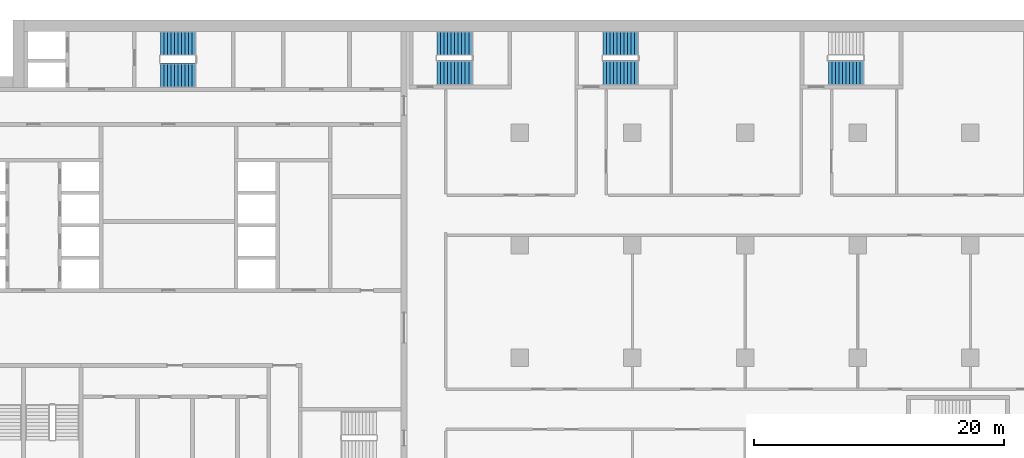
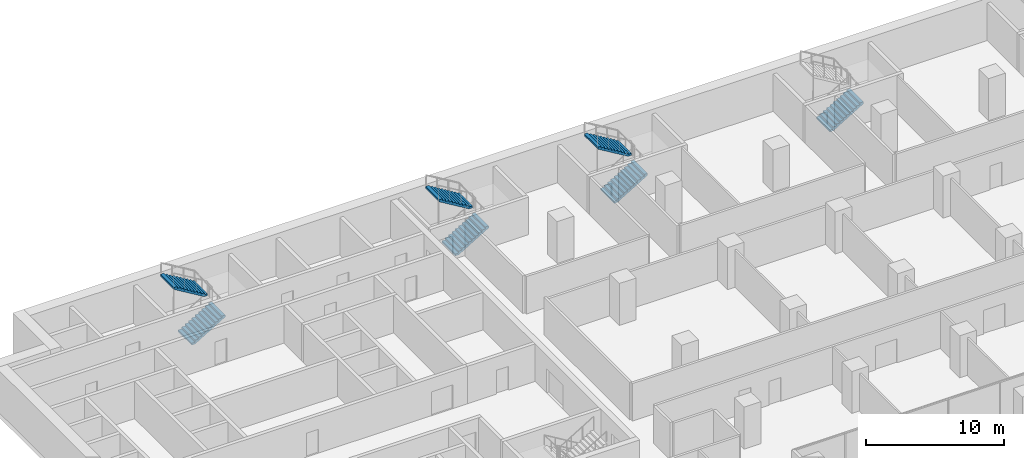
# One storey, part 21 of 28: 7 stair flights, 4 elements without a shape of their own.
"""IFC4 building model written with IfcOpenShell, lengths in metres."""

from ifc_helpers import new_model, si_unit, direction, frame, origin, place, context, subcontext, project, spatial, polyline, outline, extrude, material, type_object, element, aggregate, save


model = new_model("IFC4")

# Units and contexts
model_context = context("Model", 3, precision=1e-05, world=origin(), true_north=direction((0.0, 1.0)))
body_context = subcontext(model_context, "Body", "Model", "MODEL_VIEW")
ifc_project = project(units=[si_unit("LENGTHUNIT", "METRE"), si_unit("AREAUNIT", "SQUARE_METRE"), si_unit("VOLUMEUNIT", "CUBIC_METRE"), si_unit("PLANEANGLEUNIT", "RADIAN"), si_unit("MASSUNIT", "GRAM", prefix="KILO")], contexts=[model_context])

# Site, building, storey
site_placement = place(None, origin())
site = spatial("IfcSite", under=ifc_project, at=site_placement, CompositionType="ELEMENT")
building_placement = place(site_placement, origin())
building = spatial("IfcBuilding", under=site, at=building_placement, Name="Hunhe Ridgeline Campus", CompositionType="ELEMENT")
storey_placement = place(building_placement, frame((0.0, 0.0, 58.0)))
storey = spatial("IfcBuildingStorey", under=building, at=storey_placement, Name="L13", CompositionType="ELEMENT", Elevation=58.0)

# Stair, stair flights
ifc_material = material(Name="Concrete C40", Category="concrete")
stair_type = type_object("IfcStairType", Name="Reinforced concrete dog-leg stair 1950 Concrete C40", PredefinedType="HALF_TURN_STAIR", material=ifc_material)
stair_1_placement = place(storey_placement, origin())
stair_1 = element("IfcStair", 1, at=stair_1_placement, inside=storey, type_object=stair_type, Name="L13 S1", PredefinedType="HALF_TURN_STAIR")
stair_flight_type = type_object("IfcStairFlightType", Name="Reinforced concrete stair flight 1950 Concrete C40", PredefinedType="STRAIGHT", material=ifc_material)
stair_flight_1_placement = place(storey_placement, frame((16.300048828125, 94.574951171875, 0.0), z_axis=(0.0, 0.0, 1.0), x_axis=(1.0, 0.0, 0.0)))
stair_flight_1 = element("IfcStairFlight", 2, at=stair_flight_1_placement, type_object=stair_flight_type, Name="ST1 flight 1", NumberOfRisers=11, NumberOfTreads=10, PredefinedType="STRAIGHT", RiserHeight=0.168181818, TreadLength=0.28, context=body_context, shape_type="SweptSolid", body=[
    extrude(outline(polyline([(0.0, 0.0), (0.0, 0.168212890625), (0.280029296875, 0.168212890625), (0.280029296875, 0.33642578125), (0.56005859375, 0.33642578125), (0.56005859375, 0.504638671875), (0.840087890625, 0.504638671875), (0.840087890625, 0.672607421875), (1.1201171875, 0.672607421875), (1.1201171875, 0.8408203125), (1.39990234375, 0.8408203125), (1.39990234375, 1.009033203125), (1.679931640625, 1.009033203125), (1.679931640625, 1.17724609375), (1.9599609375, 1.17724609375), (1.9599609375, 1.345458984375), (2.239990234375, 1.345458984375), (2.239990234375, 1.513671875), (2.52001953125, 1.513671875), (2.52001953125, 1.681884765625), (2.800048828125, 1.681884765625), (2.800048828125, 1.85009765625), (2.800048828125, 1.5068359375), (0.291015625, 0.0), (0.0, 0.0)])), frame((0.0, 0.97509765625, 0.0), z_axis=(0.0, -1.0, 0.0), x_axis=(1.0, 0.0, 0.0)), (0.0, 0.0, 1.0), 1.949951171875),
    extrude(outline(polyline([(0.030029296875, 0.030029296875), (0.030029296875, 0.13818359375), (0.31005859375, 0.13818359375), (0.31005859375, 0.306396484375), (0.590087890625, 0.306396484375), (0.590087890625, 0.474609375), (0.8701171875, 0.474609375), (0.8701171875, 0.642578125), (1.14990234375, 0.642578125), (1.14990234375, 0.810791015625), (1.429931640625, 0.810791015625), (1.429931640625, 0.97900390625), (1.7099609375, 0.97900390625), (1.7099609375, 1.147216796875), (1.989990234375, 1.147216796875), (1.989990234375, 1.3154296875), (2.27001953125, 1.3154296875), (2.27001953125, 1.483642578125), (2.550048828125, 1.483642578125), (2.550048828125, 1.65185546875), (2.77001953125, 1.65185546875), (2.77001953125, 1.52392578125), (0.28271484375, 0.030029296875), (0.030029296875, 0.030029296875)])), frame((0.0, -0.070068359375, 0.0), z_axis=(0.0, -1.0, 0.0), x_axis=(1.0, 0.0, 0.0)), (0.0, 0.0, 1.0), 0.019775390625),
    extrude(outline(polyline([(0.030029296875, 0.030029296875), (0.030029296875, 0.13818359375), (0.31005859375, 0.13818359375), (0.31005859375, 0.306396484375), (0.590087890625, 0.306396484375), (0.590087890625, 0.474609375), (0.8701171875, 0.474609375), (0.8701171875, 0.642578125), (1.14990234375, 0.642578125), (1.14990234375, 0.810791015625), (1.429931640625, 0.810791015625), (1.429931640625, 0.97900390625), (1.7099609375, 0.97900390625), (1.7099609375, 1.147216796875), (1.989990234375, 1.147216796875), (1.989990234375, 1.3154296875), (2.27001953125, 1.3154296875), (2.27001953125, 1.483642578125), (2.550048828125, 1.483642578125), (2.550048828125, 1.65185546875), (2.77001953125, 1.65185546875), (2.77001953125, 1.52392578125), (0.28271484375, 0.030029296875), (0.030029296875, 0.030029296875)])), frame((0.0, 0.010009765625, 0.0), z_axis=(0.0, -1.0, 0.0), x_axis=(1.0, 0.0, 0.0)), (0.0, 0.0, 1.0), 0.019775390625),
    extrude(outline(polyline([(0.030029296875, 0.030029296875), (0.030029296875, 0.13818359375), (0.31005859375, 0.13818359375), (0.31005859375, 0.306396484375), (0.590087890625, 0.306396484375), (0.590087890625, 0.474609375), (0.8701171875, 0.474609375), (0.8701171875, 0.642578125), (1.14990234375, 0.642578125), (1.14990234375, 0.810791015625), (1.429931640625, 0.810791015625), (1.429931640625, 0.97900390625), (1.7099609375, 0.97900390625), (1.7099609375, 1.147216796875), (1.989990234375, 1.147216796875), (1.989990234375, 1.3154296875), (2.27001953125, 1.3154296875), (2.27001953125, 1.483642578125), (2.550048828125, 1.483642578125), (2.550048828125, 1.65185546875), (2.77001953125, 1.65185546875), (2.77001953125, 1.52392578125), (0.28271484375, 0.030029296875), (0.030029296875, 0.030029296875)])), frame((0.0, 0.090087890625, 0.0), z_axis=(0.0, -1.0, 0.0), x_axis=(1.0, 0.0, 0.0)), (0.0, 0.0, 1.0), 0.019775390625),
])
stair_flight_2_placement = place(storey_placement, frame((19.10009765625, 97.125, 1.85009765625), z_axis=(0.0, 0.0, 1.0), x_axis=(-1.0, 0.0, 0.0)))
stair_flight_2 = element("IfcStairFlight", 3, at=stair_flight_2_placement, type_object=stair_flight_type, Name="ST1 flight 2", NumberOfRisers=11, NumberOfTreads=10, PredefinedType="STRAIGHT", RiserHeight=0.168181818, TreadLength=0.28, context=body_context, shape_type="SweptSolid", body=[
    extrude(outline(polyline([(0.0, 0.0), (0.0, 0.168212890625), (0.280029296875, 0.168212890625), (0.280029296875, 0.33642578125), (0.56005859375, 0.33642578125), (0.56005859375, 0.504638671875), (0.840087890625, 0.504638671875), (0.840087890625, 0.672607421875), (1.1201171875, 0.672607421875), (1.1201171875, 0.8408203125), (1.39990234375, 0.8408203125), (1.39990234375, 1.009033203125), (1.679931640625, 1.009033203125), (1.679931640625, 1.17724609375), (1.9599609375, 1.17724609375), (1.9599609375, 1.345458984375), (2.239990234375, 1.345458984375), (2.239990234375, 1.513671875), (2.52001953125, 1.513671875), (2.52001953125, 1.681884765625), (2.800048828125, 1.681884765625), (2.800048828125, 1.85009765625), (2.800048828125, 1.5068359375), (0.291015625, 0.0), (0.0, 0.0)])), frame((0.0, 0.97509765625, 0.0), z_axis=(0.0, -1.0, 0.0), x_axis=(1.0, 0.0, 0.0)), (0.0, 0.0, 1.0), 1.949951171875),
    extrude(outline(polyline([(0.030029296875, 0.030029296875), (0.030029296875, 0.13818359375), (0.31005859375, 0.13818359375), (0.31005859375, 0.306396484375), (0.590087890625, 0.306396484375), (0.590087890625, 0.474609375), (0.8701171875, 0.474609375), (0.8701171875, 0.642578125), (1.14990234375, 0.642578125), (1.14990234375, 0.810791015625), (1.429931640625, 0.810791015625), (1.429931640625, 0.97900390625), (1.7099609375, 0.97900390625), (1.7099609375, 1.147216796875), (1.989990234375, 1.147216796875), (1.989990234375, 1.3154296875), (2.27001953125, 1.3154296875), (2.27001953125, 1.483642578125), (2.550048828125, 1.483642578125), (2.550048828125, 1.65185546875), (2.77001953125, 1.65185546875), (2.77001953125, 1.52392578125), (0.28271484375, 0.030029296875), (0.030029296875, 0.030029296875)])), frame((0.0, -0.070068359375, 0.0), z_axis=(0.0, -1.0, 0.0), x_axis=(1.0, 0.0, 0.0)), (0.0, 0.0, 1.0), 0.019775390625),
    extrude(outline(polyline([(0.030029296875, 0.030029296875), (0.030029296875, 0.13818359375), (0.31005859375, 0.13818359375), (0.31005859375, 0.306396484375), (0.590087890625, 0.306396484375), (0.590087890625, 0.474609375), (0.8701171875, 0.474609375), (0.8701171875, 0.642578125), (1.14990234375, 0.642578125), (1.14990234375, 0.810791015625), (1.429931640625, 0.810791015625), (1.429931640625, 0.97900390625), (1.7099609375, 0.97900390625), (1.7099609375, 1.147216796875), (1.989990234375, 1.147216796875), (1.989990234375, 1.3154296875), (2.27001953125, 1.3154296875), (2.27001953125, 1.483642578125), (2.550048828125, 1.483642578125), (2.550048828125, 1.65185546875), (2.77001953125, 1.65185546875), (2.77001953125, 1.52392578125), (0.28271484375, 0.030029296875), (0.030029296875, 0.030029296875)])), frame((0.0, 0.010009765625, 0.0), z_axis=(0.0, -1.0, 0.0), x_axis=(1.0, 0.0, 0.0)), (0.0, 0.0, 1.0), 0.019775390625),
    extrude(outline(polyline([(0.030029296875, 0.030029296875), (0.030029296875, 0.13818359375), (0.31005859375, 0.13818359375), (0.31005859375, 0.306396484375), (0.590087890625, 0.306396484375), (0.590087890625, 0.474609375), (0.8701171875, 0.474609375), (0.8701171875, 0.642578125), (1.14990234375, 0.642578125), (1.14990234375, 0.810791015625), (1.429931640625, 0.810791015625), (1.429931640625, 0.97900390625), (1.7099609375, 0.97900390625), (1.7099609375, 1.147216796875), (1.989990234375, 1.147216796875), (1.989990234375, 1.3154296875), (2.27001953125, 1.3154296875), (2.27001953125, 1.483642578125), (2.550048828125, 1.483642578125), (2.550048828125, 1.65185546875), (2.77001953125, 1.65185546875), (2.77001953125, 1.52392578125), (0.28271484375, 0.030029296875), (0.030029296875, 0.030029296875)])), frame((0.0, 0.090087890625, 0.0), z_axis=(0.0, -1.0, 0.0), x_axis=(1.0, 0.0, 0.0)), (0.0, 0.0, 1.0), 0.019775390625),
])
aggregate(stair_1, [stair_flight_1, stair_flight_2])

stair_2_placement = place(storey_placement, origin())
stair_2 = element("IfcStair", 4, at=stair_2_placement, inside=storey, type_object=stair_type, Name="L13 E1", PredefinedType="HALF_TURN_STAIR")
stair_flight_3_placement = place(storey_placement, frame((38.39990234375, 94.77490234375, 0.0), z_axis=(0.0, 0.0, 1.0), x_axis=(1.0, 0.0, 0.0)))
stair_flight_3 = element("IfcStairFlight", 5, at=stair_flight_3_placement, type_object=stair_flight_type, Name="ST5 flight 1", NumberOfRisers=11, NumberOfTreads=10, PredefinedType="STRAIGHT", RiserHeight=0.168181818, TreadLength=0.28, context=body_context, shape_type="SweptSolid", body=[
    extrude(outline(polyline([(0.0, 0.0), (0.0, 0.168212890625), (0.280029296875, 0.168212890625), (0.280029296875, 0.33642578125), (0.56005859375, 0.33642578125), (0.56005859375, 0.504638671875), (0.840087890625, 0.504638671875), (0.840087890625, 0.672607421875), (1.1201171875, 0.672607421875), (1.1201171875, 0.8408203125), (1.39990234375, 0.8408203125), (1.39990234375, 1.009033203125), (1.679931640625, 1.009033203125), (1.679931640625, 1.17724609375), (1.9599609375, 1.17724609375), (1.9599609375, 1.345458984375), (2.239990234375, 1.345458984375), (2.239990234375, 1.513671875), (2.52001953125, 1.513671875), (2.52001953125, 1.681884765625), (2.800048828125, 1.681884765625), (2.800048828125, 1.85009765625), (2.800048828125, 1.5068359375), (0.291015625, 0.0), (0.0, 0.0)])), frame((0.0, 0.97509765625, 0.0), z_axis=(0.0, -1.0, 0.0), x_axis=(1.0, 0.0, 0.0)), (0.0, 0.0, 1.0), 1.949951171875),
    extrude(outline(polyline([(0.030029296875, 0.030029296875), (0.030029296875, 0.13818359375), (0.31005859375, 0.13818359375), (0.31005859375, 0.306396484375), (0.590087890625, 0.306396484375), (0.590087890625, 0.474609375), (0.8701171875, 0.474609375), (0.8701171875, 0.642578125), (1.14990234375, 0.642578125), (1.14990234375, 0.810791015625), (1.429931640625, 0.810791015625), (1.429931640625, 0.97900390625), (1.7099609375, 0.97900390625), (1.7099609375, 1.147216796875), (1.989990234375, 1.147216796875), (1.989990234375, 1.3154296875), (2.27001953125, 1.3154296875), (2.27001953125, 1.483642578125), (2.550048828125, 1.483642578125), (2.550048828125, 1.65185546875), (2.77001953125, 1.65185546875), (2.77001953125, 1.52392578125), (0.28271484375, 0.030029296875), (0.030029296875, 0.030029296875)])), frame((0.0, -0.070068359375, 0.0), z_axis=(0.0, -1.0, 0.0), x_axis=(1.0, 0.0, 0.0)), (0.0, 0.0, 1.0), 0.019775390625),
    extrude(outline(polyline([(0.030029296875, 0.030029296875), (0.030029296875, 0.13818359375), (0.31005859375, 0.13818359375), (0.31005859375, 0.306396484375), (0.590087890625, 0.306396484375), (0.590087890625, 0.474609375), (0.8701171875, 0.474609375), (0.8701171875, 0.642578125), (1.14990234375, 0.642578125), (1.14990234375, 0.810791015625), (1.429931640625, 0.810791015625), (1.429931640625, 0.97900390625), (1.7099609375, 0.97900390625), (1.7099609375, 1.147216796875), (1.989990234375, 1.147216796875), (1.989990234375, 1.3154296875), (2.27001953125, 1.3154296875), (2.27001953125, 1.483642578125), (2.550048828125, 1.483642578125), (2.550048828125, 1.65185546875), (2.77001953125, 1.65185546875), (2.77001953125, 1.52392578125), (0.28271484375, 0.030029296875), (0.030029296875, 0.030029296875)])), frame((0.0, 0.010009765625, 0.0), z_axis=(0.0, -1.0, 0.0), x_axis=(1.0, 0.0, 0.0)), (0.0, 0.0, 1.0), 0.019775390625),
    extrude(outline(polyline([(0.030029296875, 0.030029296875), (0.030029296875, 0.13818359375), (0.31005859375, 0.13818359375), (0.31005859375, 0.306396484375), (0.590087890625, 0.306396484375), (0.590087890625, 0.474609375), (0.8701171875, 0.474609375), (0.8701171875, 0.642578125), (1.14990234375, 0.642578125), (1.14990234375, 0.810791015625), (1.429931640625, 0.810791015625), (1.429931640625, 0.97900390625), (1.7099609375, 0.97900390625), (1.7099609375, 1.147216796875), (1.989990234375, 1.147216796875), (1.989990234375, 1.3154296875), (2.27001953125, 1.3154296875), (2.27001953125, 1.483642578125), (2.550048828125, 1.483642578125), (2.550048828125, 1.65185546875), (2.77001953125, 1.65185546875), (2.77001953125, 1.52392578125), (0.28271484375, 0.030029296875), (0.030029296875, 0.030029296875)])), frame((0.0, 0.090087890625, 0.0), z_axis=(0.0, -1.0, 0.0), x_axis=(1.0, 0.0, 0.0)), (0.0, 0.0, 1.0), 0.019775390625),
])
stair_flight_4_placement = place(storey_placement, frame((41.199951171875, 97.125, 1.85009765625), z_axis=(0.0, 0.0, 1.0), x_axis=(-1.0, 0.0, 0.0)))
stair_flight_4 = element("IfcStairFlight", 6, at=stair_flight_4_placement, type_object=stair_flight_type, Name="ST5 flight 2", NumberOfRisers=11, NumberOfTreads=10, PredefinedType="STRAIGHT", RiserHeight=0.168181818, TreadLength=0.28, context=body_context, shape_type="SweptSolid", body=[
    extrude(outline(polyline([(0.0, 0.0), (0.0, 0.168212890625), (0.280029296875, 0.168212890625), (0.280029296875, 0.33642578125), (0.56005859375, 0.33642578125), (0.56005859375, 0.504638671875), (0.840087890625, 0.504638671875), (0.840087890625, 0.672607421875), (1.1201171875, 0.672607421875), (1.1201171875, 0.8408203125), (1.39990234375, 0.8408203125), (1.39990234375, 1.009033203125), (1.679931640625, 1.009033203125), (1.679931640625, 1.17724609375), (1.9599609375, 1.17724609375), (1.9599609375, 1.345458984375), (2.239990234375, 1.345458984375), (2.239990234375, 1.513671875), (2.52001953125, 1.513671875), (2.52001953125, 1.681884765625), (2.800048828125, 1.681884765625), (2.800048828125, 1.85009765625), (2.800048828125, 1.5068359375), (0.291015625, 0.0), (0.0, 0.0)])), frame((0.0, 0.97509765625, 0.0), z_axis=(0.0, -1.0, 0.0), x_axis=(1.0, 0.0, 0.0)), (0.0, 0.0, 1.0), 1.949951171875),
    extrude(outline(polyline([(0.030029296875, 0.030029296875), (0.030029296875, 0.13818359375), (0.31005859375, 0.13818359375), (0.31005859375, 0.306396484375), (0.590087890625, 0.306396484375), (0.590087890625, 0.474609375), (0.8701171875, 0.474609375), (0.8701171875, 0.642578125), (1.14990234375, 0.642578125), (1.14990234375, 0.810791015625), (1.429931640625, 0.810791015625), (1.429931640625, 0.97900390625), (1.7099609375, 0.97900390625), (1.7099609375, 1.147216796875), (1.989990234375, 1.147216796875), (1.989990234375, 1.3154296875), (2.27001953125, 1.3154296875), (2.27001953125, 1.483642578125), (2.550048828125, 1.483642578125), (2.550048828125, 1.65185546875), (2.77001953125, 1.65185546875), (2.77001953125, 1.52392578125), (0.28271484375, 0.030029296875), (0.030029296875, 0.030029296875)])), frame((0.0, -0.070068359375, 0.0), z_axis=(0.0, -1.0, 0.0), x_axis=(1.0, 0.0, 0.0)), (0.0, 0.0, 1.0), 0.019775390625),
    extrude(outline(polyline([(0.030029296875, 0.030029296875), (0.030029296875, 0.13818359375), (0.31005859375, 0.13818359375), (0.31005859375, 0.306396484375), (0.590087890625, 0.306396484375), (0.590087890625, 0.474609375), (0.8701171875, 0.474609375), (0.8701171875, 0.642578125), (1.14990234375, 0.642578125), (1.14990234375, 0.810791015625), (1.429931640625, 0.810791015625), (1.429931640625, 0.97900390625), (1.7099609375, 0.97900390625), (1.7099609375, 1.147216796875), (1.989990234375, 1.147216796875), (1.989990234375, 1.3154296875), (2.27001953125, 1.3154296875), (2.27001953125, 1.483642578125), (2.550048828125, 1.483642578125), (2.550048828125, 1.65185546875), (2.77001953125, 1.65185546875), (2.77001953125, 1.52392578125), (0.28271484375, 0.030029296875), (0.030029296875, 0.030029296875)])), frame((0.0, 0.010009765625, 0.0), z_axis=(0.0, -1.0, 0.0), x_axis=(1.0, 0.0, 0.0)), (0.0, 0.0, 1.0), 0.019775390625),
    extrude(outline(polyline([(0.030029296875, 0.030029296875), (0.030029296875, 0.13818359375), (0.31005859375, 0.13818359375), (0.31005859375, 0.306396484375), (0.590087890625, 0.306396484375), (0.590087890625, 0.474609375), (0.8701171875, 0.474609375), (0.8701171875, 0.642578125), (1.14990234375, 0.642578125), (1.14990234375, 0.810791015625), (1.429931640625, 0.810791015625), (1.429931640625, 0.97900390625), (1.7099609375, 0.97900390625), (1.7099609375, 1.147216796875), (1.989990234375, 1.147216796875), (1.989990234375, 1.3154296875), (2.27001953125, 1.3154296875), (2.27001953125, 1.483642578125), (2.550048828125, 1.483642578125), (2.550048828125, 1.65185546875), (2.77001953125, 1.65185546875), (2.77001953125, 1.52392578125), (0.28271484375, 0.030029296875), (0.030029296875, 0.030029296875)])), frame((0.0, 0.090087890625, 0.0), z_axis=(0.0, -1.0, 0.0), x_axis=(1.0, 0.0, 0.0)), (0.0, 0.0, 1.0), 0.019775390625),
])
aggregate(stair_2, [stair_flight_3, stair_flight_4])

stair_3_placement = place(storey_placement, origin())
stair_3 = element("IfcStair", 7, at=stair_3_placement, inside=storey, type_object=stair_type, Name="L13 E2", PredefinedType="HALF_TURN_STAIR")
stair_flight_5_placement = place(storey_placement, frame((51.64990234375, 94.77490234375, 0.0), z_axis=(0.0, 0.0, 1.0), x_axis=(1.0, 0.0, 0.0)))
stair_flight_5 = element("IfcStairFlight", 8, at=stair_flight_5_placement, type_object=stair_flight_type, Name="ST6 flight 1", NumberOfRisers=11, NumberOfTreads=10, PredefinedType="STRAIGHT", RiserHeight=0.168181818, TreadLength=0.28, context=body_context, shape_type="SweptSolid", body=[
    extrude(outline(polyline([(0.0, 0.0), (0.0, 0.168212890625), (0.280029296875, 0.168212890625), (0.280029296875, 0.33642578125), (0.56005859375, 0.33642578125), (0.56005859375, 0.504638671875), (0.840087890625, 0.504638671875), (0.840087890625, 0.672607421875), (1.1201171875, 0.672607421875), (1.1201171875, 0.8408203125), (1.39990234375, 0.8408203125), (1.39990234375, 1.009033203125), (1.679931640625, 1.009033203125), (1.679931640625, 1.17724609375), (1.9599609375, 1.17724609375), (1.9599609375, 1.345458984375), (2.239990234375, 1.345458984375), (2.239990234375, 1.513671875), (2.52001953125, 1.513671875), (2.52001953125, 1.681884765625), (2.800048828125, 1.681884765625), (2.800048828125, 1.85009765625), (2.800048828125, 1.5068359375), (0.291015625, 0.0), (0.0, 0.0)])), frame((0.0, 0.97509765625, 0.0), z_axis=(0.0, -1.0, 0.0), x_axis=(1.0, 0.0, 0.0)), (0.0, 0.0, 1.0), 1.949951171875),
    extrude(outline(polyline([(0.030029296875, 0.030029296875), (0.030029296875, 0.13818359375), (0.31005859375, 0.13818359375), (0.31005859375, 0.306396484375), (0.590087890625, 0.306396484375), (0.590087890625, 0.474609375), (0.8701171875, 0.474609375), (0.8701171875, 0.642578125), (1.14990234375, 0.642578125), (1.14990234375, 0.810791015625), (1.429931640625, 0.810791015625), (1.429931640625, 0.97900390625), (1.7099609375, 0.97900390625), (1.7099609375, 1.147216796875), (1.989990234375, 1.147216796875), (1.989990234375, 1.3154296875), (2.27001953125, 1.3154296875), (2.27001953125, 1.483642578125), (2.550048828125, 1.483642578125), (2.550048828125, 1.65185546875), (2.77001953125, 1.65185546875), (2.77001953125, 1.52392578125), (0.28271484375, 0.030029296875), (0.030029296875, 0.030029296875)])), frame((0.0, -0.070068359375, 0.0), z_axis=(0.0, -1.0, 0.0), x_axis=(1.0, 0.0, 0.0)), (0.0, 0.0, 1.0), 0.019775390625),
    extrude(outline(polyline([(0.030029296875, 0.030029296875), (0.030029296875, 0.13818359375), (0.31005859375, 0.13818359375), (0.31005859375, 0.306396484375), (0.590087890625, 0.306396484375), (0.590087890625, 0.474609375), (0.8701171875, 0.474609375), (0.8701171875, 0.642578125), (1.14990234375, 0.642578125), (1.14990234375, 0.810791015625), (1.429931640625, 0.810791015625), (1.429931640625, 0.97900390625), (1.7099609375, 0.97900390625), (1.7099609375, 1.147216796875), (1.989990234375, 1.147216796875), (1.989990234375, 1.3154296875), (2.27001953125, 1.3154296875), (2.27001953125, 1.483642578125), (2.550048828125, 1.483642578125), (2.550048828125, 1.65185546875), (2.77001953125, 1.65185546875), (2.77001953125, 1.52392578125), (0.28271484375, 0.030029296875), (0.030029296875, 0.030029296875)])), frame((0.0, 0.010009765625, 0.0), z_axis=(0.0, -1.0, 0.0), x_axis=(1.0, 0.0, 0.0)), (0.0, 0.0, 1.0), 0.019775390625),
    extrude(outline(polyline([(0.030029296875, 0.030029296875), (0.030029296875, 0.13818359375), (0.31005859375, 0.13818359375), (0.31005859375, 0.306396484375), (0.590087890625, 0.306396484375), (0.590087890625, 0.474609375), (0.8701171875, 0.474609375), (0.8701171875, 0.642578125), (1.14990234375, 0.642578125), (1.14990234375, 0.810791015625), (1.429931640625, 0.810791015625), (1.429931640625, 0.97900390625), (1.7099609375, 0.97900390625), (1.7099609375, 1.147216796875), (1.989990234375, 1.147216796875), (1.989990234375, 1.3154296875), (2.27001953125, 1.3154296875), (2.27001953125, 1.483642578125), (2.550048828125, 1.483642578125), (2.550048828125, 1.65185546875), (2.77001953125, 1.65185546875), (2.77001953125, 1.52392578125), (0.28271484375, 0.030029296875), (0.030029296875, 0.030029296875)])), frame((0.0, 0.090087890625, 0.0), z_axis=(0.0, -1.0, 0.0), x_axis=(1.0, 0.0, 0.0)), (0.0, 0.0, 1.0), 0.019775390625),
])
stair_flight_6_placement = place(storey_placement, frame((54.449951171875, 97.125, 1.85009765625), z_axis=(0.0, 0.0, 1.0), x_axis=(-1.0, 0.0, 0.0)))
stair_flight_6 = element("IfcStairFlight", 9, at=stair_flight_6_placement, type_object=stair_flight_type, Name="ST6 flight 2", NumberOfRisers=11, NumberOfTreads=10, PredefinedType="STRAIGHT", RiserHeight=0.168181818, TreadLength=0.28, context=body_context, shape_type="SweptSolid", body=[
    extrude(outline(polyline([(0.0, 0.0), (0.0, 0.168212890625), (0.280029296875, 0.168212890625), (0.280029296875, 0.33642578125), (0.56005859375, 0.33642578125), (0.56005859375, 0.504638671875), (0.840087890625, 0.504638671875), (0.840087890625, 0.672607421875), (1.1201171875, 0.672607421875), (1.1201171875, 0.8408203125), (1.39990234375, 0.8408203125), (1.39990234375, 1.009033203125), (1.679931640625, 1.009033203125), (1.679931640625, 1.17724609375), (1.9599609375, 1.17724609375), (1.9599609375, 1.345458984375), (2.239990234375, 1.345458984375), (2.239990234375, 1.513671875), (2.52001953125, 1.513671875), (2.52001953125, 1.681884765625), (2.800048828125, 1.681884765625), (2.800048828125, 1.85009765625), (2.800048828125, 1.5068359375), (0.291015625, 0.0), (0.0, 0.0)])), frame((0.0, 0.97509765625, 0.0), z_axis=(0.0, -1.0, 0.0), x_axis=(1.0, 0.0, 0.0)), (0.0, 0.0, 1.0), 1.949951171875),
    extrude(outline(polyline([(0.030029296875, 0.030029296875), (0.030029296875, 0.13818359375), (0.31005859375, 0.13818359375), (0.31005859375, 0.306396484375), (0.590087890625, 0.306396484375), (0.590087890625, 0.474609375), (0.8701171875, 0.474609375), (0.8701171875, 0.642578125), (1.14990234375, 0.642578125), (1.14990234375, 0.810791015625), (1.429931640625, 0.810791015625), (1.429931640625, 0.97900390625), (1.7099609375, 0.97900390625), (1.7099609375, 1.147216796875), (1.989990234375, 1.147216796875), (1.989990234375, 1.3154296875), (2.27001953125, 1.3154296875), (2.27001953125, 1.483642578125), (2.550048828125, 1.483642578125), (2.550048828125, 1.65185546875), (2.77001953125, 1.65185546875), (2.77001953125, 1.52392578125), (0.28271484375, 0.030029296875), (0.030029296875, 0.030029296875)])), frame((0.0, -0.070068359375, 0.0), z_axis=(0.0, -1.0, 0.0), x_axis=(1.0, 0.0, 0.0)), (0.0, 0.0, 1.0), 0.019775390625),
    extrude(outline(polyline([(0.030029296875, 0.030029296875), (0.030029296875, 0.13818359375), (0.31005859375, 0.13818359375), (0.31005859375, 0.306396484375), (0.590087890625, 0.306396484375), (0.590087890625, 0.474609375), (0.8701171875, 0.474609375), (0.8701171875, 0.642578125), (1.14990234375, 0.642578125), (1.14990234375, 0.810791015625), (1.429931640625, 0.810791015625), (1.429931640625, 0.97900390625), (1.7099609375, 0.97900390625), (1.7099609375, 1.147216796875), (1.989990234375, 1.147216796875), (1.989990234375, 1.3154296875), (2.27001953125, 1.3154296875), (2.27001953125, 1.483642578125), (2.550048828125, 1.483642578125), (2.550048828125, 1.65185546875), (2.77001953125, 1.65185546875), (2.77001953125, 1.52392578125), (0.28271484375, 0.030029296875), (0.030029296875, 0.030029296875)])), frame((0.0, 0.010009765625, 0.0), z_axis=(0.0, -1.0, 0.0), x_axis=(1.0, 0.0, 0.0)), (0.0, 0.0, 1.0), 0.019775390625),
    extrude(outline(polyline([(0.030029296875, 0.030029296875), (0.030029296875, 0.13818359375), (0.31005859375, 0.13818359375), (0.31005859375, 0.306396484375), (0.590087890625, 0.306396484375), (0.590087890625, 0.474609375), (0.8701171875, 0.474609375), (0.8701171875, 0.642578125), (1.14990234375, 0.642578125), (1.14990234375, 0.810791015625), (1.429931640625, 0.810791015625), (1.429931640625, 0.97900390625), (1.7099609375, 0.97900390625), (1.7099609375, 1.147216796875), (1.989990234375, 1.147216796875), (1.989990234375, 1.3154296875), (2.27001953125, 1.3154296875), (2.27001953125, 1.483642578125), (2.550048828125, 1.483642578125), (2.550048828125, 1.65185546875), (2.77001953125, 1.65185546875), (2.77001953125, 1.52392578125), (0.28271484375, 0.030029296875), (0.030029296875, 0.030029296875)])), frame((0.0, 0.090087890625, 0.0), z_axis=(0.0, -1.0, 0.0), x_axis=(1.0, 0.0, 0.0)), (0.0, 0.0, 1.0), 0.019775390625),
])
aggregate(stair_3, [stair_flight_5, stair_flight_6])

# Stair, stair flight
stair_4_placement = place(storey_placement, origin())
stair_4 = element("IfcStair", 10, at=stair_4_placement, inside=storey, type_object=stair_type, Name="L13 E3", PredefinedType="HALF_TURN_STAIR")
stair_flight_7_placement = place(storey_placement, frame((69.64990234375, 94.77490234375, 0.0), z_axis=(0.0, 0.0, 1.0), x_axis=(1.0, 0.0, 0.0)))
stair_flight_7 = element("IfcStairFlight", 11, at=stair_flight_7_placement, type_object=stair_flight_type, Name="ST7 flight 1", NumberOfRisers=11, NumberOfTreads=10, PredefinedType="STRAIGHT", RiserHeight=0.168181818, TreadLength=0.28, context=body_context, shape_type="SweptSolid", body=[
    extrude(outline(polyline([(0.0, 0.0), (0.0, 0.168212890625), (0.280029296875, 0.168212890625), (0.280029296875, 0.33642578125), (0.56005859375, 0.33642578125), (0.56005859375, 0.504638671875), (0.840087890625, 0.504638671875), (0.840087890625, 0.672607421875), (1.1201171875, 0.672607421875), (1.1201171875, 0.8408203125), (1.39990234375, 0.8408203125), (1.39990234375, 1.009033203125), (1.679931640625, 1.009033203125), (1.679931640625, 1.17724609375), (1.9599609375, 1.17724609375), (1.9599609375, 1.345458984375), (2.239990234375, 1.345458984375), (2.239990234375, 1.513671875), (2.52001953125, 1.513671875), (2.52001953125, 1.681884765625), (2.800048828125, 1.681884765625), (2.800048828125, 1.85009765625), (2.800048828125, 1.5068359375), (0.291015625, 0.0), (0.0, 0.0)])), frame((0.0, 0.97509765625, 0.0), z_axis=(0.0, -1.0, 0.0), x_axis=(1.0, 0.0, 0.0)), (0.0, 0.0, 1.0), 1.949951171875),
    extrude(outline(polyline([(0.030029296875, 0.030029296875), (0.030029296875, 0.13818359375), (0.31005859375, 0.13818359375), (0.31005859375, 0.306396484375), (0.590087890625, 0.306396484375), (0.590087890625, 0.474609375), (0.8701171875, 0.474609375), (0.8701171875, 0.642578125), (1.14990234375, 0.642578125), (1.14990234375, 0.810791015625), (1.429931640625, 0.810791015625), (1.429931640625, 0.97900390625), (1.7099609375, 0.97900390625), (1.7099609375, 1.147216796875), (1.989990234375, 1.147216796875), (1.989990234375, 1.3154296875), (2.27001953125, 1.3154296875), (2.27001953125, 1.483642578125), (2.550048828125, 1.483642578125), (2.550048828125, 1.65185546875), (2.77001953125, 1.65185546875), (2.77001953125, 1.52392578125), (0.28271484375, 0.030029296875), (0.030029296875, 0.030029296875)])), frame((0.0, -0.070068359375, 0.0), z_axis=(0.0, -1.0, 0.0), x_axis=(1.0, 0.0, 0.0)), (0.0, 0.0, 1.0), 0.019775390625),
    extrude(outline(polyline([(0.030029296875, 0.030029296875), (0.030029296875, 0.13818359375), (0.31005859375, 0.13818359375), (0.31005859375, 0.306396484375), (0.590087890625, 0.306396484375), (0.590087890625, 0.474609375), (0.8701171875, 0.474609375), (0.8701171875, 0.642578125), (1.14990234375, 0.642578125), (1.14990234375, 0.810791015625), (1.429931640625, 0.810791015625), (1.429931640625, 0.97900390625), (1.7099609375, 0.97900390625), (1.7099609375, 1.147216796875), (1.989990234375, 1.147216796875), (1.989990234375, 1.3154296875), (2.27001953125, 1.3154296875), (2.27001953125, 1.483642578125), (2.550048828125, 1.483642578125), (2.550048828125, 1.65185546875), (2.77001953125, 1.65185546875), (2.77001953125, 1.52392578125), (0.28271484375, 0.030029296875), (0.030029296875, 0.030029296875)])), frame((0.0, 0.010009765625, 0.0), z_axis=(0.0, -1.0, 0.0), x_axis=(1.0, 0.0, 0.0)), (0.0, 0.0, 1.0), 0.019775390625),
    extrude(outline(polyline([(0.030029296875, 0.030029296875), (0.030029296875, 0.13818359375), (0.31005859375, 0.13818359375), (0.31005859375, 0.306396484375), (0.590087890625, 0.306396484375), (0.590087890625, 0.474609375), (0.8701171875, 0.474609375), (0.8701171875, 0.642578125), (1.14990234375, 0.642578125), (1.14990234375, 0.810791015625), (1.429931640625, 0.810791015625), (1.429931640625, 0.97900390625), (1.7099609375, 0.97900390625), (1.7099609375, 1.147216796875), (1.989990234375, 1.147216796875), (1.989990234375, 1.3154296875), (2.27001953125, 1.3154296875), (2.27001953125, 1.483642578125), (2.550048828125, 1.483642578125), (2.550048828125, 1.65185546875), (2.77001953125, 1.65185546875), (2.77001953125, 1.52392578125), (0.28271484375, 0.030029296875), (0.030029296875, 0.030029296875)])), frame((0.0, 0.090087890625, 0.0), z_axis=(0.0, -1.0, 0.0), x_axis=(1.0, 0.0, 0.0)), (0.0, 0.0, 1.0), 0.019775390625),
])
aggregate(stair_4, [stair_flight_7])

save(model, "model.ifc")
